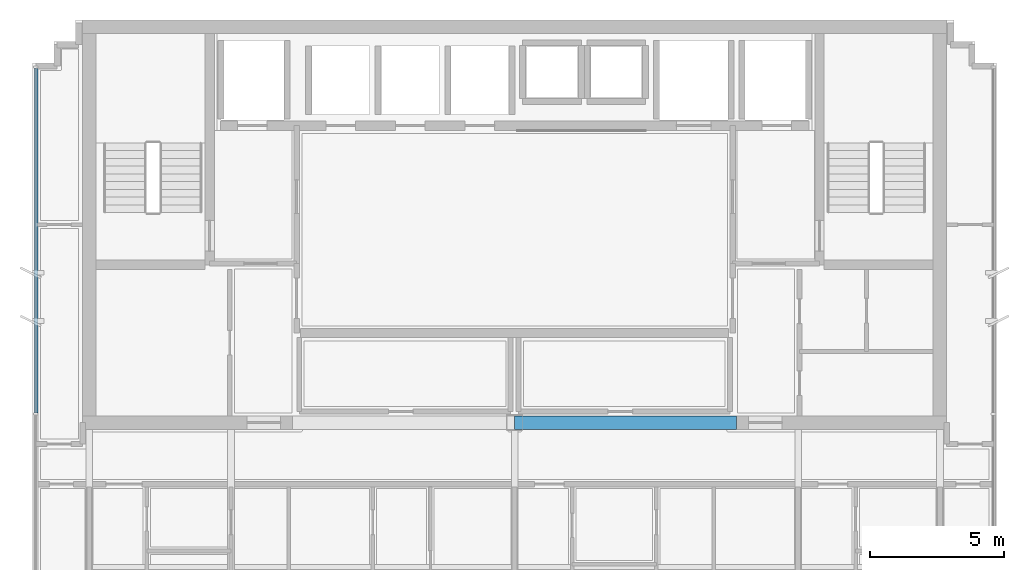
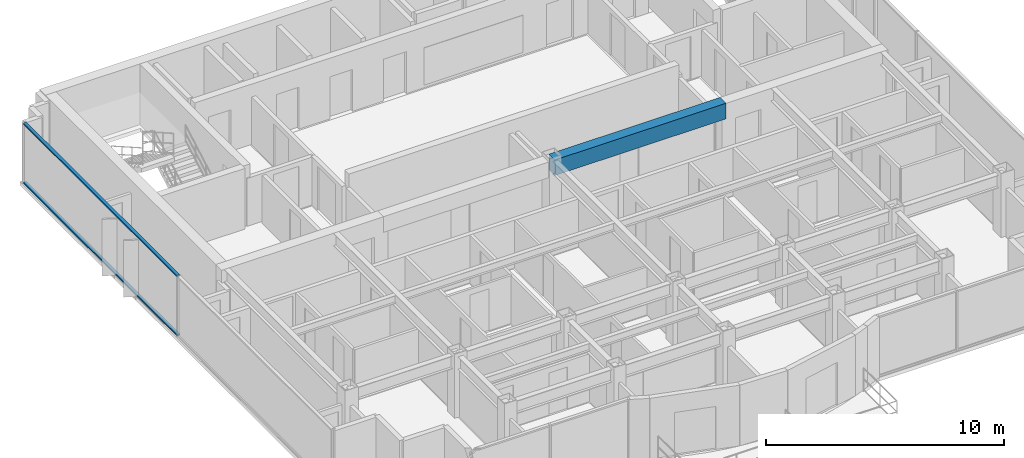
# One storey, part 2 of 11: 2 members, 1 beam, 1 element without a shape of its own.
"""IFC4 building model written with IfcOpenShell, lengths in metres."""

from ifc_helpers import new_model, si_unit, direction, frame, origin, origin_2d, place, context, subcontext, project, spatial, rectangle, extrude, source, transform, mapped, material, layer, layer_set, material_profile, profile_set, type_object, element, aggregate, save


model = new_model("IFC4")

# Units and contexts
model_context = context("Model", 3, precision=1e-05, world=origin(), true_north=direction((0.0, 1.0)))
body_context = subcontext(model_context, "Body", "Model", "MODEL_VIEW")
ifc_project = project(units=[si_unit("LENGTHUNIT", "METRE"), si_unit("AREAUNIT", "SQUARE_METRE"), si_unit("VOLUMEUNIT", "CUBIC_METRE"), si_unit("PLANEANGLEUNIT", "RADIAN"), si_unit("MASSUNIT", "GRAM", prefix="KILO")], contexts=[model_context])

# Site, building, storey
site_placement = place(None, origin())
site = spatial("IfcSite", under=ifc_project, at=site_placement, CompositionType="ELEMENT")
building_placement = place(site_placement, origin())
building = spatial("IfcBuilding", under=site, at=building_placement, Name="Qianlan Lanfeng Residences", CompositionType="ELEMENT")
storey_placement = place(building_placement, frame((0.0, 0.0, 259.39990234375)))
storey = spatial("IfcBuildingStorey", under=building, at=storey_placement, Name="L72", CompositionType="ELEMENT", Elevation=259.39990234375)

# Beam
ifc_material_1 = material(Name="Concrete C49", Category="concrete")
ifc_material_profile_1 = material_profile(ifc_material_1, rectangle(XDim=0.5, YDim=0.800048828125, at=origin_2d()), Name="RC 500x800")
ifc_profile_set_1 = profile_set([ifc_material_profile_1], Name="Concrete C49")
beam_type = type_object("IfcBeamType", Name="LB-RC750", PredefinedType="BEAM", material=ifc_profile_set_1)
beam_placement = place(storey_placement, frame((26.5, 25.199951171875, 2.710205078125), z_axis=(1.0, 0.0, 0.0), x_axis=(0.0, 1.0, 0.0)))
element("IfcBeam", 1, at=beam_placement, inside=storey, type_object=beam_type, Name="L72 Core Coupling Beam E", PredefinedType="BEAM", context=body_context, shape_type="SweptSolid", body=[
    extrude(rectangle(XDim=0.5, YDim=0.800048828125, at=origin_2d()), origin(), (0.0, 0.0, 1.0), 8.300048828125),
])

# Curtain wall, members
ifc_material_2 = material(Name="Anodised Bronze Aluminium 6063-T6", Category="aluminium")
ifc_layer = layer(ifc_material_2, 0.219970703125)
ifc_layer_set = layer_set([ifc_layer], Name="Anodised Bronze Aluminium 6063-T6")
curtain_wall_type = type_object("IfcCurtainWallType", Name="CW-06", PredefinedType="NOTDEFINED", material=ifc_layer_set)
curtain_wall_placement = place(storey_placement, origin())
curtain_wall = element("IfcCurtainWall", 2, at=curtain_wall_placement, inside=storey, type_object=curtain_wall_type, Name="L72 Unitised Curtain Wall CWR-L72-04 (CW-06)", PredefinedType="NOTDEFINED")
ifc_material_profile_2 = material_profile(ifc_material_2, rectangle(XDim=0.074951171875, YDim=0.14990234375, at=origin_2d()), Name="ALU TRANSOM 75x150")
ifc_profile_set_2 = profile_set([ifc_material_profile_2], Name="Anodised Bronze Aluminium 6063-T6")
member_type = type_object("IfcMemberType", Name="CWT-150", PredefinedType="USERDEFINED", material=ifc_profile_set_2)
shared_shape = source(origin(), body_context, "Body", "SweptSolid", [
    extrude(rectangle(XDim=0.074951171875, YDim=0.14990234375, at=origin_2d()), origin(), (0.0, 0.0, 1.0), 12.892578125),
])
member_1_placement = place(storey_placement, frame((8.60009765625, 38.455078125, 0.03759765625), z_axis=(0.0, -1.0, 0.0), x_axis=(0.0, 0.0, 1.0)))
member_1 = element("IfcMember", 3, at=member_1_placement, type_object=member_type, Name="CWR-L72-04 Transom 1-BOT", ObjectType="TRANSOM", PredefinedType="USERDEFINED", context=body_context, shape_type="MappedRepresentation", body=[
    mapped(shared_shape, transform((0.0, 0.0, 0.0), scale=1.0)),
])
member_2_placement = place(storey_placement, frame((8.60009765625, 38.455078125, 3.072509765625), z_axis=(0.0, -1.0, 0.0), x_axis=(0.0, 0.0, 1.0)))
member_2 = element("IfcMember", 4, at=member_2_placement, type_object=member_type, Name="CWR-L72-04 Transom 1-TOP", ObjectType="TRANSOM", PredefinedType="USERDEFINED", context=body_context, shape_type="MappedRepresentation", body=[
    mapped(shared_shape, transform((0.0, 0.0, 0.0), scale=1.0)),
])
aggregate(curtain_wall, [member_1, member_2])

save(model, "model.ifc")
